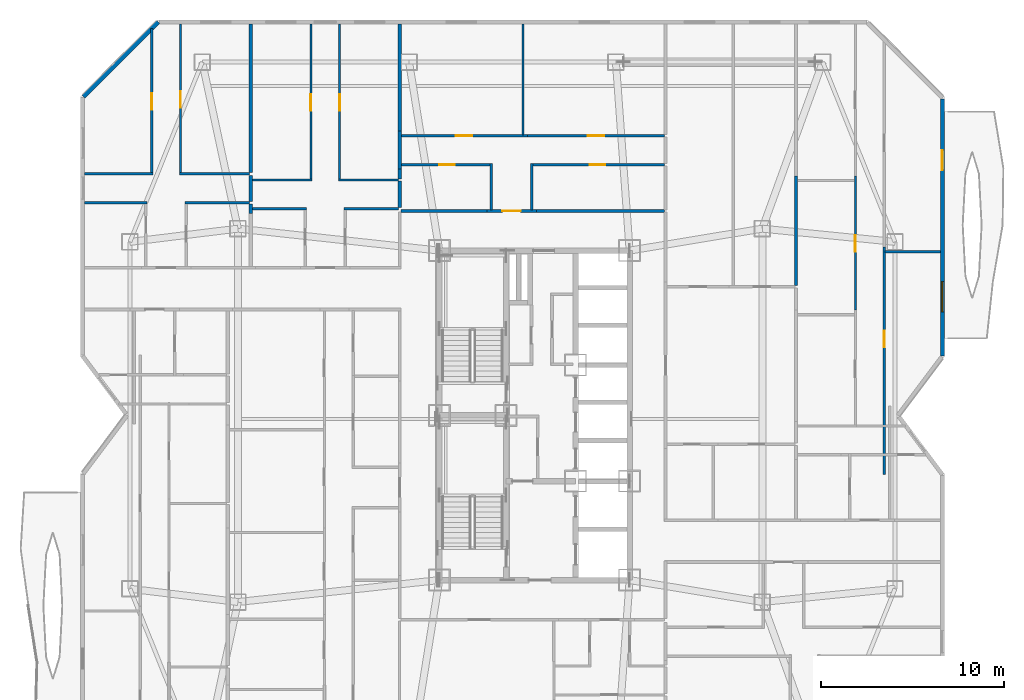
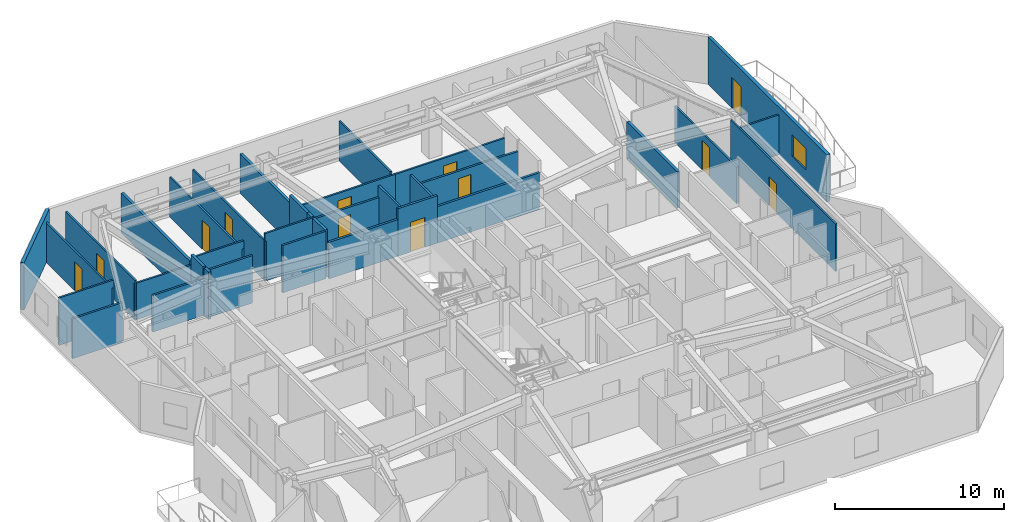
# One storey, part 12 of 16: 35 walls, 12 doors, 1 window, 13 openings.
"""IFC4 building model written with IfcOpenShell, lengths in metres."""

import ifcopenshell
import ifcopenshell.guid

model = None  # the IFC model being written
_history = None  # IfcOwnerHistory: only IFC2X3 demands one
_inside = {}  # id of a spatial element -> (the spatial element, [elements in it])
_under = {}  # id of a project, library or spatial element -> (it, [spatial elements below it])
_declared = {}  # id of a project -> (the project, [libraries it declares])
_typed = {}  # id of a type object -> (the type object, [elements of that type])
_made_of = {}  # id of a material, layer set ... -> (it, [elements and type objects made of it])


def new_model(schema):
    """Start an empty IFC model of exactly this schema.

    Asked for "IFC4X3", IfcOpenShell would pick the latest addendum, in which some entities
    have other attributes; the version numbers below select the first issue.
    IFC2X3 requires an IfcOwnerHistory on every rooted entity: one is made here for all.
    """
    global model, _history
    if schema == "IFC4X3":
        model = ifcopenshell.file(schema_version=(4, 3, 0, 0))
    else:
        model = ifcopenshell.file(schema=schema)
    _inside.clear()
    _under.clear()
    _declared.clear()
    _typed.clear()
    _made_of.clear()
    _history = None
    if model.schema == "IFC2X3":
        org = make("IfcOrganization", Name="unknown")
        user = make(
            "IfcPersonAndOrganization",
            ThePerson=make("IfcPerson", FamilyName="unknown"),
            TheOrganization=org,
        )
        app = make(
            "IfcApplication",
            ApplicationDeveloper=org,
            Version="unknown",
            ApplicationFullName="unknown",
            ApplicationIdentifier="unknown",
        )
        _history = make(
            "IfcOwnerHistory",
            OwningUser=user,
            OwningApplication=app,
            ChangeAction="ADDED",
            CreationDate=0,
        )
    return model


def make(cls, **values):
    """One entity of the class cls with the attributes given. An attribute that is None is left unset."""
    return model.create_entity(
        cls, **{name: value for name, value in values.items() if value is not None}
    )


def rooted(cls, **values):
    """An entity with a GlobalId (a new one), such as an element, a storey or a relation."""
    return make(cls, GlobalId=ifcopenshell.guid.new(), OwnerHistory=_history, **values)


def si_unit(unit_type, name, prefix=None):
    """IfcSIUnit, for example si_unit("LENGTHUNIT", "METRE", prefix="MILLI")."""
    return make("IfcSIUnit", UnitType=unit_type, Prefix=prefix, Name=name)


def assignment(units):
    """IfcUnitAssignment: the units of a project."""
    return None if units is None else make("IfcUnitAssignment", Units=units)


def point(xyz):
    """IfcCartesianPoint."""
    return None if xyz is None else make("IfcCartesianPoint", Coordinates=xyz)


def direction(xyz):
    """IfcDirection."""
    return None if xyz is None else make("IfcDirection", DirectionRatios=xyz)


def frame(location, z_axis=None, x_axis=None):
    """IfcAxis2Placement3D, a coordinate frame: its origin and axes. An axis left out is left unset."""
    return make(
        "IfcAxis2Placement3D",
        Location=point(location),
        Axis=direction(z_axis),
        RefDirection=direction(x_axis),
    )


def frame_2d(location, x_axis=None):
    """IfcAxis2Placement2D, a coordinate frame in the plane: its origin and x axis."""
    return make(
        "IfcAxis2Placement2D", Location=point(location), RefDirection=direction(x_axis)
    )


def origin():
    """The frame at (0, 0, 0) with its axes left unset."""
    return frame((0.0, 0.0, 0.0))


def place(relative_to, where):
    """IfcLocalPlacement: puts the frame where relative to a parent placement (None: the world)."""
    return make(
        "IfcLocalPlacement", PlacementRelTo=relative_to, RelativePlacement=where
    )


def context(
    kind, dimensions, precision=None, world=None, true_north=None, identifier=None
):
    """IfcGeometricRepresentationContext, for example the 3D "Model" context."""
    return make(
        "IfcGeometricRepresentationContext",
        ContextIdentifier=identifier,
        ContextType=kind,
        CoordinateSpaceDimension=dimensions,
        Precision=precision,
        WorldCoordinateSystem=world,
        TrueNorth=true_north,
    )


def subcontext(parent, identifier, kind, view, scale=None):
    """IfcGeometricRepresentationSubContext, for example "Body" below "Model"."""
    return make(
        "IfcGeometricRepresentationSubContext",
        ContextIdentifier=identifier,
        ContextType=kind,
        ParentContext=parent,
        TargetScale=scale,
        TargetView=view,
    )


def project(units=None, contexts=None):
    """IfcProject with its units and contexts."""
    return rooted(
        "IfcProject",
        Name="project",
        RepresentationContexts=contexts,
        UnitsInContext=assignment(units),
    )


def spatial(cls, under=None, at=None, **own):
    """A site, building, storey or space (cls), placed at a placement, below another one or the project."""
    s = rooted(cls, ObjectPlacement=at, **own)
    if under is not None:
        _under.setdefault(under.id(), (under, []))[1].append(s)
    return s


def profile(cls, at=None, kind="AREA", **sizes):
    """A parametric profile (cls). Its sizes go by their IFC names, for example OverallWidth=200.0."""
    return make(cls, ProfileType=kind, Position=at, **sizes)


def rectangle(**sizes):
    """IfcRectangleProfileDef."""
    return profile("IfcRectangleProfileDef", **sizes)


def extrude(swept, where, along, depth):
    """IfcExtrudedAreaSolid: the profile swept, set in the frame where, extruded along a direction by depth."""
    return make(
        "IfcExtrudedAreaSolid",
        SweptArea=swept,
        Position=where,
        ExtrudedDirection=direction(along),
        Depth=depth,
    )


def shape(context_of_items, identifier, shape_type, items):
    """IfcShapeRepresentation: the items that make up one representation, for example the "Body"."""
    return make(
        "IfcShapeRepresentation",
        ContextOfItems=context_of_items,
        RepresentationIdentifier=identifier,
        RepresentationType=shape_type,
        Items=items,
    )


def material(Name=None, Category=None):
    """IfcMaterial."""
    return make("IfcMaterial", Name=Name, Category=Category)


def layer(
    of_material, thickness, ventilated=None, Name=None, Category=None, Priority=None
):
    """IfcMaterialLayer: one layer of a wall or slab, of a material (None: an air gap)."""
    return make(
        "IfcMaterialLayer",
        Material=of_material,
        LayerThickness=thickness,
        IsVentilated=ventilated,
        Name=Name,
        Category=Category,
        Priority=Priority,
    )


def layer_set(layers, Name=None):
    """IfcMaterialLayerSet."""
    return make("IfcMaterialLayerSet", MaterialLayers=layers, LayerSetName=Name)


def made_of(thing, what):
    """Note that an element or type object is made of a material, layer set ...; save() writes the relation."""
    if what is not None:
        _made_of.setdefault(what.id(), (what, []))[1].append(thing)
    return thing


def type_object(cls, material=None, **own):
    """A type object (cls), such as IfcWallType, which elements share."""
    return made_of(rooted(cls, **own), material)


def element(
    cls,
    number,
    at=None,
    inside=None,
    cuts=None,
    type_object=None,
    material=None,
    context=None,
    identifier="Body",
    shape_type=None,
    held_by="IfcProductDefinitionShape",
    body=None,
    shapes=None,
    **own,
):
    """One element of the class cls, such as IfcWall. Its Tag is "e" and its number.

    at: its placement. inside: the storey or other place that contains it. cuts: it is an
    opening in that element (IfcRelVoidsElement). A single representation is given by context,
    identifier, shape_type and body (its items); several are given by shapes. held_by: the class
    of the entity that holds the representations. save() writes the other relations.
    """
    e = rooted(cls, Tag="e%d" % number, ObjectPlacement=at, **own)
    if body is not None:
        shapes = [shape(context, identifier, shape_type, body)]
    if shapes is not None:
        e.Representation = make(held_by, Representations=shapes)
    if inside is not None:
        _inside.setdefault(inside.id(), (inside, []))[1].append(e)
    if cuts is not None:
        rooted(
            "IfcRelVoidsElement", RelatingBuildingElement=cuts, RelatedOpeningElement=e
        )
    if type_object is not None:
        _typed.setdefault(type_object.id(), (type_object, []))[1].append(e)
    return made_of(e, material)


def fill(opening, filler):
    """IfcRelFillsElement: the door or window that sits in an opening."""
    return rooted(
        "IfcRelFillsElement",
        RelatingOpeningElement=opening,
        RelatedBuildingElement=filler,
    )


def aggregate(whole, parts):
    """IfcRelAggregates: a whole, such as a stair, and the parts it consists of."""
    return rooted("IfcRelAggregates", RelatingObject=whole, RelatedObjects=parts)


def save(model, path):
    """Write the relations noted so far, then the file.

    IfcRelAggregates (storeys below a building ...), IfcRelContainedInSpatialStructure (elements
    in a storey), IfcRelDefinesByType, IfcRelAssociatesMaterial and IfcRelDeclares: one each for
    every whole, place, type object, material and project.
    """
    for whole, parts in _under.values():
        aggregate(whole, parts)
    for where, things in _inside.values():
        rooted(
            "IfcRelContainedInSpatialStructure",
            RelatedElements=things,
            RelatingStructure=where,
        )
    for kind, things in _typed.values():
        rooted("IfcRelDefinesByType", RelatedObjects=things, RelatingType=kind)
    for what, things in _made_of.values():
        rooted("IfcRelAssociatesMaterial", RelatedObjects=things, RelatingMaterial=what)
    for by, libraries in _declared.values():
        rooted("IfcRelDeclares", RelatingContext=by, RelatedDefinitions=libraries)
    model.write(path)


model = new_model("IFC4")

# Units and contexts
model_context = context("Model", 3, precision=1e-05, world=origin(), true_north=direction((0.0, 1.0)))
body_context = subcontext(model_context, "Body", "Model", "MODEL_VIEW")
ifc_project = project(units=[si_unit("LENGTHUNIT", "METRE"), si_unit("AREAUNIT", "SQUARE_METRE"), si_unit("VOLUMEUNIT", "CUBIC_METRE"), si_unit("PLANEANGLEUNIT", "RADIAN"), si_unit("MASSUNIT", "GRAM", prefix="KILO")], contexts=[model_context])

# Site, building, storey
site_placement = place(None, origin())
site = spatial("IfcSite", under=ifc_project, at=site_placement, CompositionType="ELEMENT")
building_placement = place(site_placement, origin())
building = spatial("IfcBuilding", under=site, at=building_placement, Name="Khamvora Tower", CompositionType="ELEMENT")
storey_placement = place(building_placement, frame((0.0, 0.0, 134.75)))
storey = spatial("IfcBuildingStorey", under=building, at=storey_placement, Name="L34", CompositionType="ELEMENT", Elevation=134.75)

# Wall, opening, door
ifc_material_1 = material(Name="Fire-Rated Drywall and Steel Stud", Category="steel")
ifc_layer_1 = layer(ifc_material_1, 0.14990234375)
ifc_layer_set_1 = layer_set([ifc_layer_1], Name="Fire-Rated Drywall and Steel Stud")
wall_type_1 = type_object("IfcWallType", Name="WAL-CORR-150", PredefinedType="STANDARD", material=ifc_layer_set_1)
wall_1_placement = place(storey_placement, frame((31.60107421875, 39.1650390625, 0.0), z_axis=(0.0, 0.0, 1.0), x_axis=(1.0, 0.0, 0.0)))
wall_1 = element("IfcWall", 1, at=wall_1_placement, inside=storey, type_object=wall_type_1, Name="L34 interior partition wall 030", PredefinedType="STANDARD", context=body_context, shape_type="SweptSolid", body=[
    extrude(rectangle(XDim=2.697998046875, YDim=0.14990234375, at=frame_2d((1.34912109375, 0.0))), origin(), (0.0, 0.0, 1.0), 3.429931640625),
])
opening_1_placement = place(wall_1_placement, frame((0.84912109375, 0.0, 0.0)))
opening_1 = element("IfcOpeningElement", 2, at=opening_1_placement, cuts=wall_1, Name="Opening D-U1", PredefinedType="OPENING", context=body_context, shape_type="SweptSolid", body=[
    extrude(rectangle(XDim=1.0, YDim=2.14990234375, at=frame_2d((0.5, 1.074951171875))), frame((0.0, 0.0849609375, 0.0), z_axis=(0.0, -1.0, 0.0), x_axis=(1.0, 0.0, 0.0)), (0.0, 0.0, 1.0), 0.169921875),
])
ifc_material_2 = material(Name="Powder-Coated Steel and Hardwood Leaf", Category="steel")
door_type_1 = type_object("IfcDoorType", Name="DOR-UNIT-1000", OperationType="NOTDEFINED", PredefinedType="DOOR", material=ifc_material_2)
door_1_placement = place(opening_1_placement, origin())
door_1 = element("IfcDoor", 3, at=door_1_placement, inside=storey, type_object=door_type_1, Name="L34 interior door COR-34NAH", OperationType="SINGLE_SWING_LEFT", OverallHeight=2.14990234375, OverallWidth=1.0, PredefinedType="DOOR", context=body_context, shape_type="SweptSolid", body=[
    extrude(rectangle(XDim=1.0, YDim=2.14990234375, at=frame_2d((0.5, 1.074951171875))), frame((0.0, 0.02490234375, 0.0), z_axis=(0.0, -1.0, 0.0), x_axis=(1.0, 0.0, 0.0)), (0.0, 0.0, 1.0), 0.050048828125),
])
fill(opening_1, door_1)

# Walls
wall_2_placement = place(storey_placement, frame((26.89990234375, 39.1650390625, 0.0), z_axis=(0.0, 0.0, 1.0), x_axis=(1.0, 0.0, 0.0)))
element("IfcWall", 4, at=wall_2_placement, inside=storey, type_object=wall_type_1, Name="L34 interior partition wall 031", PredefinedType="STANDARD", context=body_context, shape_type="SweptSolid", body=[
    extrude(rectangle(XDim=4.701171875, YDim=0.14990234375, at=frame_2d((2.3505859375, 0.0))), origin(), (0.0, 0.0, 1.0), 2.64697265625),
])
wall_3_placement = place(storey_placement, frame((34.299072265625, 39.1650390625, 0.0), z_axis=(0.0, 0.0, 1.0), x_axis=(1.0, 0.0, 0.0)))
element("IfcWall", 5, at=wall_3_placement, inside=storey, type_object=wall_type_1, Name="L34 interior partition wall 032", PredefinedType="STANDARD", context=body_context, shape_type="SweptSolid", body=[
    extrude(rectangle(XDim=7.0009765625, YDim=0.14990234375, at=frame_2d((3.50048828125, 0.0))), origin(), (0.0, 0.0, 1.0), 2.64697265625),
])
ifc_material_3 = material(Name="Acoustic Double-Stud Fire Wall", Category="gypsum")
ifc_layer_2 = layer(ifc_material_3, 0.179931640625)
ifc_layer_set_2 = layer_set([ifc_layer_2], Name="Acoustic Double-Stud Fire Wall")
wall_type_2 = type_object("IfcWallType", Name="WAL-CORR-180", PredefinedType="STANDARD", material=ifc_layer_set_2)
wall_4_placement = place(storey_placement, frame((18.705078125, 41.10888671875, 0.0), z_axis=(0.0, 0.0, 1.0), x_axis=(0.0, -1.0, 0.0)))
element("IfcWall", 6, at=wall_4_placement, inside=storey, type_object=wall_type_2, Name="L34 interior partition wall 097", PredefinedType="STANDARD", context=body_context, shape_type="SweptSolid", body=[
    extrude(rectangle(XDim=1.423828125, YDim=0.179931640625, at=frame_2d((0.7119140625, 0.0))), origin(), (0.0, 0.0, 1.0), 3.429931640625),
])
wall_5_placement = place(storey_placement, frame((18.705078125, 39.554931640625, 0.0), z_axis=(0.0, 0.0, 1.0), x_axis=(0.0, -1.0, 0.0)))
element("IfcWall", 7, at=wall_5_placement, inside=storey, type_object=wall_type_2, Name="L34 interior partition wall 098", PredefinedType="STANDARD", context=body_context, shape_type="SweptSolid", body=[
    extrude(rectangle(XDim=0.52392578125, YDim=0.179931640625, at=frame_2d((0.261962890625, 0.0))), origin(), (0.0, 0.0, 1.0), 3.429931640625),
])
wall_6_placement = place(storey_placement, frame((18.705078125, 49.387939453125, 0.0), z_axis=(0.0, 0.0, 1.0), x_axis=(0.0, -1.0, 0.0)))
element("IfcWall", 8, at=wall_6_placement, inside=storey, type_object=wall_type_2, Name="L34 interior partition wall 100", PredefinedType="STANDARD", context=body_context, shape_type="SweptSolid", body=[
    extrude(rectangle(XDim=8.123046875, YDim=0.179931640625, at=frame_2d((4.0615234375, 0.0))), origin(), (0.0, 0.0, 1.0), 2.8759765625),
])
wall_7_placement = place(storey_placement, frame((26.8349609375, 40.794921875, 0.0), z_axis=(0.0, 0.0, 1.0), x_axis=(0.0, -1.0, 0.0)))
element("IfcWall", 9, at=wall_7_placement, inside=storey, type_object=wall_type_2, Name="L34 interior partition wall 109", PredefinedType="STANDARD", context=body_context, shape_type="SweptSolid", body=[
    extrude(rectangle(XDim=1.449951171875, YDim=0.179931640625, at=frame_2d((0.72509765625, 0.0))), origin(), (0.0, 0.0, 1.0), 3.429931640625),
])
wall_8_placement = place(storey_placement, frame((26.8349609375, 43.52392578125, 0.0), z_axis=(0.0, 0.0, 1.0), x_axis=(0.0, -1.0, 0.0)))
element("IfcWall", 10, at=wall_8_placement, inside=storey, type_object=wall_type_2, Name="L34 interior partition wall 110", PredefinedType="STANDARD", context=body_context, shape_type="SweptSolid", body=[
    extrude(rectangle(XDim=2.077880859375, YDim=0.179931640625, at=frame_2d((1.0390625, 0.0))), origin(), (0.0, 0.0, 1.0), 3.429931640625),
])
wall_9_placement = place(storey_placement, frame((26.8349609375, 41.446044921875, 0.0), z_axis=(0.0, 0.0, 1.0), x_axis=(0.0, -1.0, 0.0)))
element("IfcWall", 11, at=wall_9_placement, inside=storey, type_object=wall_type_2, Name="L34 interior partition wall 111", PredefinedType="STANDARD", context=body_context, shape_type="SweptSolid", body=[
    extrude(rectangle(XDim=0.52099609375, YDim=0.179931640625, at=frame_2d((0.260498046875, 0.0))), origin(), (0.0, 0.0, 1.0), 3.429931640625),
])
wall_10_placement = place(storey_placement, frame((26.8349609375, 49.387939453125, 0.0), z_axis=(0.0, 0.0, 1.0), x_axis=(0.0, -1.0, 0.0)))
element("IfcWall", 12, at=wall_10_placement, inside=storey, type_object=wall_type_2, Name="L34 interior partition wall 112", PredefinedType="STANDARD", context=body_context, shape_type="SweptSolid", body=[
    extrude(rectangle(XDim=5.864013671875, YDim=0.179931640625, at=frame_2d((2.93212890625, 0.0))), origin(), (0.0, 0.0, 1.0), 2.8759765625),
])
wall_11_placement = place(storey_placement, frame((48.489990234375, 41.0830078125, 0.0), z_axis=(0.0, 0.0, 1.0), x_axis=(0.0, -1.0, 0.0)))
element("IfcWall", 13, at=wall_11_placement, inside=storey, type_object=wall_type_2, Name="L34 interior partition wall 148", PredefinedType="STANDARD", context=body_context, shape_type="SweptSolid", body=[
    extrude(rectangle(XDim=5.988037109375, YDim=0.179931640625, at=frame_2d((2.994140625, 0.0))), origin(), (0.0, 0.0, 1.0), 2.64697265625),
])
ifc_material_4 = material(Name="Precast concrete C40/50", Category="concrete")
ifc_layer_3 = layer(ifc_material_4, 0.219970703125)
ifc_layer_set_3 = layer_set([ifc_layer_3], Name="Precast concrete C40/50")
wall_type_3 = type_object("IfcWallType", Name="WAL-EXT-220", PredefinedType="STANDARD", material=ifc_layer_set_3)
wall_12_placement = place(storey_placement, frame((9.55810546875, 45.402099609375, 0.0), z_axis=(0.0, 0.0, 1.0), x_axis=(0.707106781187, 0.707106781187, 0.0)))
element("IfcWall", 14, at=wall_12_placement, inside=storey, type_object=wall_type_3, Name="L34 exterior facade wall 06.1", PredefinedType="STANDARD", context=body_context, shape_type="SweptSolid", body=[
    extrude(rectangle(XDim=5.78125, YDim=0.219970703125, at=frame_2d((2.890625, 0.0))), origin(), (0.0, 0.0, 1.0), 3.429931640625),
])

# Wall, openings, door, window
wall_13_placement = place(storey_placement, frame((56.489990234375, 45.282958984375, 0.0), z_axis=(0.0, 0.0, 1.0), x_axis=(0.0, -1.0, 0.0)))
wall_13 = element("IfcWall", 15, at=wall_13_placement, inside=storey, type_object=wall_type_3, Name="L34 exterior facade wall 09.1", PredefinedType="STANDARD", context=body_context, shape_type="SweptSolid", body=[
    extrude(rectangle(XDim=14.0458984375, YDim=0.219970703125, at=frame_2d((7.02294921875, 0.0))), origin(), (0.0, 0.0, 1.0), 3.429931640625),
])
opening_2_placement = place(wall_13_placement, frame((2.791015625, 0.0, 0.0)))
opening_2 = element("IfcOpeningElement", 16, at=opening_2_placement, cuts=wall_13, Name="Opening BD-01", PredefinedType="OPENING", context=body_context, shape_type="SweptSolid", body=[
    extrude(rectangle(XDim=1.10009765625, YDim=2.199951171875, at=frame_2d((0.550048828125, 1.10009765625))), frame((0.0, 0.119873046875, 0.0), z_axis=(0.0, -1.0, 0.0), x_axis=(1.0, 0.0, 0.0)), (0.0, 0.0, 1.0), 0.239990234375),
])
opening_3_placement = place(wall_13_placement, frame((9.97607421875, 0.0, 0.85009765625)))
opening_3 = element("IfcOpeningElement", 17, at=opening_3_placement, cuts=wall_13, Name="Opening WN-06", PredefinedType="OPENING", context=body_context, shape_type="SweptSolid", body=[
    extrude(rectangle(XDim=1.64990234375, YDim=1.550048828125, at=frame_2d((0.824951171875, 0.77490234375))), frame((0.0, 0.119873046875, 0.0), z_axis=(0.0, -1.0, 0.0), x_axis=(1.0, 0.0, 0.0)), (0.0, 0.0, 1.0), 0.239990234375),
])
ifc_material_5 = material(Name="Anodised Aluminium and Laminated Safety Glass", Category="aluminium")
door_type_2 = type_object("IfcDoorType", Name="DOR-BAL-1100", OperationType="NOTDEFINED", PredefinedType="DOOR", material=ifc_material_5)
door_2_placement = place(opening_2_placement, origin())
door_2 = element("IfcDoor", 18, at=door_2_placement, inside=storey, type_object=door_type_2, Name="L34 lens gallery balcony door EL2", OperationType="SLIDING_TO_LEFT", OverallHeight=2.199951171875, OverallWidth=1.10009765625, PredefinedType="DOOR", context=body_context, shape_type="SweptSolid", body=[
    extrude(rectangle(XDim=1.10009765625, YDim=2.199951171875, at=frame_2d((0.550048828125, 1.10009765625))), frame((0.0, 0.02490234375, 0.0), z_axis=(0.0, -1.0, 0.0), x_axis=(1.0, 0.0, 0.0)), (0.0, 0.0, 1.0), 0.050048828125),
])
fill(opening_2, door_2)
ifc_material_6 = material(Name="Low-E Laminated Double Glazing", Category="glass")
window_type = type_object("IfcWindowType", Name="WIN-VIS-1650x1550", PartitioningType="SINGLE_PANEL", PredefinedType="WINDOW", material=ifc_material_6)
window_placement = place(opening_3_placement, origin())
window = element("IfcWindow", 19, at=window_placement, inside=storey, type_object=window_type, Name="L34 vision window 09.1.01", OverallHeight=1.550048828125, OverallWidth=1.64990234375, PartitioningType="SINGLE_PANEL", PredefinedType="WINDOW", context=body_context, shape_type="SweptSolid", body=[
    extrude(rectangle(XDim=1.64990234375, YDim=1.550048828125, at=frame_2d((0.824951171875, 0.77490234375))), frame((0.0, 0.030029296875, 0.0), z_axis=(0.0, -1.0, 0.0), x_axis=(1.0, 0.0, 0.0)), (0.0, 0.0, 1.0), 0.06005859375),
])
fill(opening_3, window)

# Wall
ifc_material_7 = material(Name="Gypsum Plasterboard Partition", Category="gypsum")
ifc_layer_4 = layer(ifc_material_7, 0.1201171875)
ifc_layer_set_4 = layer_set([ifc_layer_4], Name="Gypsum Plasterboard Partition")
wall_type_4 = type_object("IfcWallType", Name="WAL-PART-120", PredefinedType="PARTITIONING", material=ifc_layer_set_4)
wall_14_placement = place(storey_placement, frame((9.612060546875, 41.199951171875, 0.0), z_axis=(0.0, 0.0, 1.0), x_axis=(1.0, 0.0, 0.0)))
element("IfcWall", 20, at=wall_14_placement, inside=storey, type_object=wall_type_4, Name="L34 interior partition wall 093", PredefinedType="PARTITIONING", context=body_context, shape_type="SweptSolid", body=[
    extrude(rectangle(XDim=3.742919921875, YDim=0.1201171875, at=frame_2d((1.87158203125, 0.0))), origin(), (0.0, 0.0, 1.0), 3.429931640625),
])

# Wall, opening, door
wall_15_placement = place(storey_placement, frame((13.2900390625, 41.135009765625, 0.0), z_axis=(0.0, 0.0, 1.0), x_axis=(0.0, 1.0, 0.0)))
wall_15 = element("IfcWall", 21, at=wall_15_placement, inside=storey, type_object=wall_type_4, Name="L34 interior partition wall 094", PredefinedType="PARTITIONING", context=body_context, shape_type="SweptSolid", body=[
    extrude(rectangle(XDim=8.008056640625, YDim=0.1201171875, at=frame_2d((4.00390625, 0.0))), origin(), (0.0, 0.0, 1.0), 2.8759765625),
])
opening_4_placement = place(wall_15_placement, frame((3.553955078125, 0.0, 0.0)))
opening_4 = element("IfcOpeningElement", 22, at=opening_4_placement, cuts=wall_15, Name="Opening D-RM1", PredefinedType="OPENING", context=body_context, shape_type="SweptSolid", body=[
    extrude(rectangle(XDim=0.89990234375, YDim=2.10009765625, at=frame_2d((0.449951171875, 1.050048828125))), frame((0.0, 0.070068359375, 0.0), z_axis=(0.0, -1.0, 0.0), x_axis=(1.0, 0.0, 0.0)), (0.0, 0.0, 1.0), 0.14013671875),
])
door_type_3 = type_object("IfcDoorType", Name="DOR-ROOM-900", OperationType="NOTDEFINED", PredefinedType="DOOR", material=ifc_material_2)
door_3_placement = place(opening_4_placement, origin())
door_3 = element("IfcDoor", 23, at=door_3_placement, inside=storey, type_object=door_type_3, Name="L34 interior door 34WBH-34WBL", OperationType="SINGLE_SWING_RIGHT", OverallHeight=2.10009765625, OverallWidth=0.89990234375, PredefinedType="DOOR", context=body_context, shape_type="SweptSolid", body=[
    extrude(rectangle(XDim=0.89990234375, YDim=2.10009765625, at=frame_2d((0.449951171875, 1.050048828125))), frame((0.0, 0.02490234375, 0.0), z_axis=(0.0, -1.0, 0.0), x_axis=(1.0, 0.0, 0.0)), (0.0, 0.0, 1.0), 0.050048828125),
])
fill(opening_4, door_3)

wall_16_placement = place(storey_placement, frame((14.860107421875, 49.387939453125, 0.0), z_axis=(0.0, 0.0, 1.0), x_axis=(0.0, -1.0, 0.0)))
wall_16 = element("IfcWall", 24, at=wall_16_placement, inside=storey, type_object=wall_type_4, Name="L34 interior partition wall 095", PredefinedType="PARTITIONING", context=body_context, shape_type="SweptSolid", body=[
    extrude(rectangle(XDim=8.2529296875, YDim=0.1201171875, at=frame_2d((4.12646484375, 0.0))), origin(), (0.0, 0.0, 1.0), 2.8759765625),
])
opening_5_placement = place(wall_16_placement, frame((3.676025390625, 0.0, 0.0)))
opening_5 = element("IfcOpeningElement", 25, at=opening_5_placement, cuts=wall_16, Name="Opening D-RM1", PredefinedType="OPENING", context=body_context, shape_type="SweptSolid", body=[
    extrude(rectangle(XDim=0.89990234375, YDim=2.10009765625, at=frame_2d((0.449951171875, 1.050048828125))), frame((0.0, 0.070068359375, 0.0), z_axis=(0.0, -1.0, 0.0), x_axis=(1.0, 0.0, 0.0)), (0.0, 0.0, 1.0), 0.14013671875),
])
door_4_placement = place(opening_5_placement, origin())
door_4 = element("IfcDoor", 26, at=door_4_placement, inside=storey, type_object=door_type_3, Name="L34 interior door 34WBH-34WBR2", OperationType="SINGLE_SWING_LEFT", OverallHeight=2.10009765625, OverallWidth=0.89990234375, PredefinedType="DOOR", context=body_context, shape_type="SweptSolid", body=[
    extrude(rectangle(XDim=0.89990234375, YDim=2.10009765625, at=frame_2d((0.449951171875, 1.050048828125))), frame((0.0, 0.02490234375, 0.0), z_axis=(0.0, -1.0, 0.0), x_axis=(1.0, 0.0, 0.0)), (0.0, 0.0, 1.0), 0.050048828125),
])
fill(opening_5, door_4)

# Walls
wall_17_placement = place(storey_placement, frame((14.794921875, 41.199951171875, 0.0), z_axis=(0.0, 0.0, 1.0), x_axis=(1.0, 0.0, 0.0)))
element("IfcWall", 27, at=wall_17_placement, inside=storey, type_object=wall_type_4, Name="L34 interior partition wall 096", PredefinedType="PARTITIONING", context=body_context, shape_type="SweptSolid", body=[
    extrude(rectangle(XDim=3.844970703125, YDim=0.1201171875, at=frame_2d((1.92236328125, 0.0))), origin(), (0.0, 0.0, 1.0), 2.64697265625),
])
wall_18_placement = place(storey_placement, frame((18.787109375, 40.860107421875, 0.0), z_axis=(0.0, 0.0, 1.0), x_axis=(1.0, 0.0, 0.0)))
element("IfcWall", 28, at=wall_18_placement, inside=storey, type_object=wall_type_4, Name="L34 interior partition wall 105", PredefinedType="PARTITIONING", context=body_context, shape_type="SweptSolid", body=[
    extrude(rectangle(XDim=3.262939453125, YDim=0.1201171875, at=frame_2d((1.63134765625, 0.0))), origin(), (0.0, 0.0, 1.0), 3.429931640625),
])

# Wall, opening, door
wall_19_placement = place(storey_placement, frame((21.985107421875, 40.794921875, 0.0), z_axis=(0.0, 0.0, 1.0), x_axis=(0.0, 1.0, 0.0)))
wall_19 = element("IfcWall", 29, at=wall_19_placement, inside=storey, type_object=wall_type_4, Name="L34 interior partition wall 106", PredefinedType="PARTITIONING", context=body_context, shape_type="SweptSolid", body=[
    extrude(rectangle(XDim=8.593017578125, YDim=0.1201171875, at=frame_2d((4.29638671875, 0.0))), origin(), (0.0, 0.0, 1.0), 2.8759765625),
])
opening_6_placement = place(wall_19_placement, frame((3.845947265625, 0.0, 0.0)))
opening_6 = element("IfcOpeningElement", 30, at=opening_6_placement, cuts=wall_19, Name="Opening D-RM1", PredefinedType="OPENING", context=body_context, shape_type="SweptSolid", body=[
    extrude(rectangle(XDim=0.89990234375, YDim=2.10009765625, at=frame_2d((0.449951171875, 1.050048828125))), frame((0.0, 0.070068359375, 0.0), z_axis=(0.0, -1.0, 0.0), x_axis=(1.0, 0.0, 0.0)), (0.0, 0.0, 1.0), 0.14013671875),
])
door_5_placement = place(opening_6_placement, origin())
door_5 = element("IfcDoor", 31, at=door_5_placement, inside=storey, type_object=door_type_3, Name="L34 interior door 34WCH-34WCL", OperationType="SINGLE_SWING_RIGHT", OverallHeight=2.10009765625, OverallWidth=0.89990234375, PredefinedType="DOOR", context=body_context, shape_type="SweptSolid", body=[
    extrude(rectangle(XDim=0.89990234375, YDim=2.10009765625, at=frame_2d((0.449951171875, 1.050048828125))), frame((0.0, 0.02490234375, 0.0), z_axis=(0.0, -1.0, 0.0), x_axis=(1.0, 0.0, 0.0)), (0.0, 0.0, 1.0), 0.050048828125),
])
fill(opening_6, door_5)

wall_20_placement = place(storey_placement, frame((23.554931640625, 49.387939453125, 0.0), z_axis=(0.0, 0.0, 1.0), x_axis=(0.0, -1.0, 0.0)))
wall_20 = element("IfcWall", 32, at=wall_20_placement, inside=storey, type_object=wall_type_4, Name="L34 interior partition wall 107", PredefinedType="PARTITIONING", context=body_context, shape_type="SweptSolid", body=[
    extrude(rectangle(XDim=8.593017578125, YDim=0.1201171875, at=frame_2d((4.29638671875, 0.0))), origin(), (0.0, 0.0, 1.0), 2.8759765625),
])
opening_7_placement = place(wall_20_placement, frame((3.845947265625, 0.0, 0.0)))
opening_7 = element("IfcOpeningElement", 33, at=opening_7_placement, cuts=wall_20, Name="Opening D-RM1", PredefinedType="OPENING", context=body_context, shape_type="SweptSolid", body=[
    extrude(rectangle(XDim=0.89990234375, YDim=2.10009765625, at=frame_2d((0.449951171875, 1.050048828125))), frame((0.0, 0.070068359375, 0.0), z_axis=(0.0, -1.0, 0.0), x_axis=(1.0, 0.0, 0.0)), (0.0, 0.0, 1.0), 0.14013671875),
])
door_6_placement = place(opening_7_placement, origin())
door_6 = element("IfcDoor", 34, at=door_6_placement, inside=storey, type_object=door_type_3, Name="L34 interior door 34WCH-34WCR2", OperationType="SINGLE_SWING_LEFT", OverallHeight=2.10009765625, OverallWidth=0.89990234375, PredefinedType="DOOR", context=body_context, shape_type="SweptSolid", body=[
    extrude(rectangle(XDim=0.89990234375, YDim=2.10009765625, at=frame_2d((0.449951171875, 1.050048828125))), frame((0.0, 0.02490234375, 0.0), z_axis=(0.0, -1.0, 0.0), x_axis=(1.0, 0.0, 0.0)), (0.0, 0.0, 1.0), 0.050048828125),
])
fill(opening_7, door_6)

# Wall
wall_21_placement = place(storey_placement, frame((23.489990234375, 40.860107421875, 0.0), z_axis=(0.0, 0.0, 1.0), x_axis=(1.0, 0.0, 0.0)))
element("IfcWall", 35, at=wall_21_placement, inside=storey, type_object=wall_type_4, Name="L34 interior partition wall 108", PredefinedType="PARTITIONING", context=body_context, shape_type="SweptSolid", body=[
    extrude(rectangle(XDim=3.280029296875, YDim=0.1201171875, at=frame_2d((1.64013671875, 0.0))), origin(), (0.0, 0.0, 1.0), 3.429931640625),
])

# Wall, opening, door
wall_22_placement = place(storey_placement, frame((26.9169921875, 43.27490234375, 0.0), z_axis=(0.0, 0.0, 1.0), x_axis=(1.0, 0.0, 0.0)))
wall_22 = element("IfcWall", 36, at=wall_22_placement, inside=storey, type_object=wall_type_4, Name="L34 interior partition wall 126", PredefinedType="PARTITIONING", context=body_context, shape_type="SweptSolid", body=[
    extrude(rectangle(XDim=6.906005859375, YDim=0.1201171875, at=frame_2d((3.453125, 0.0))), origin(), (0.0, 0.0, 1.0), 2.64697265625),
])
opening_8_placement = place(wall_22_placement, frame((2.98193359375, 0.0, 0.0)))
opening_8 = element("IfcOpeningElement", 37, at=opening_8_placement, cuts=wall_22, Name="Opening D-RM1", PredefinedType="OPENING", context=body_context, shape_type="SweptSolid", body=[
    extrude(rectangle(XDim=0.89990234375, YDim=2.10009765625, at=frame_2d((0.449951171875, 1.050048828125))), frame((0.0, 0.070068359375, 0.0), z_axis=(0.0, -1.0, 0.0), x_axis=(1.0, 0.0, 0.0)), (0.0, 0.0, 1.0), 0.14013671875),
])
door_7_placement = place(opening_8_placement, origin())
door_7 = element("IfcDoor", 38, at=door_7_placement, inside=storey, type_object=door_type_3, Name="L34 interior door 34NAH-34NAR1", OperationType="SINGLE_SWING_LEFT", OverallHeight=2.10009765625, OverallWidth=0.89990234375, PredefinedType="DOOR", context=body_context, shape_type="SweptSolid", body=[
    extrude(rectangle(XDim=0.89990234375, YDim=2.10009765625, at=frame_2d((0.449951171875, 1.050048828125))), frame((0.0, 0.02490234375, 0.0), z_axis=(0.0, -1.0, 0.0), x_axis=(1.0, 0.0, 0.0)), (0.0, 0.0, 1.0), 0.050048828125),
])
fill(opening_8, door_7)

wall_23_placement = place(storey_placement, frame((33.822998046875, 43.27490234375, 0.0), z_axis=(0.0, 0.0, 1.0), x_axis=(1.0, 0.0, 0.0)))
wall_23 = element("IfcWall", 39, at=wall_23_placement, inside=storey, type_object=wall_type_4, Name="L34 interior partition wall 127", PredefinedType="PARTITIONING", context=body_context, shape_type="SweptSolid", body=[
    extrude(rectangle(XDim=7.47705078125, YDim=0.1201171875, at=frame_2d((3.738525390625, 0.0))), origin(), (0.0, 0.0, 1.0), 2.64697265625),
])
opening_9_placement = place(wall_23_placement, frame((3.2880859375, 0.0, 0.0)))
opening_9 = element("IfcOpeningElement", 40, at=opening_9_placement, cuts=wall_23, Name="Opening D-RM1", PredefinedType="OPENING", context=body_context, shape_type="SweptSolid", body=[
    extrude(rectangle(XDim=0.89990234375, YDim=2.10009765625, at=frame_2d((0.449951171875, 1.050048828125))), frame((0.0, 0.070068359375, 0.0), z_axis=(0.0, -1.0, 0.0), x_axis=(1.0, 0.0, 0.0)), (0.0, 0.0, 1.0), 0.14013671875),
])
door_8_placement = place(opening_9_placement, origin())
door_8 = element("IfcDoor", 41, at=door_8_placement, inside=storey, type_object=door_type_3, Name="L34 interior door 34NAH-34NAR2", OperationType="SINGLE_SWING_RIGHT", OverallHeight=2.10009765625, OverallWidth=0.89990234375, PredefinedType="DOOR", context=body_context, shape_type="SweptSolid", body=[
    extrude(rectangle(XDim=0.89990234375, YDim=2.10009765625, at=frame_2d((0.449951171875, 1.050048828125))), frame((0.0, 0.02490234375, 0.0), z_axis=(0.0, -1.0, 0.0), x_axis=(1.0, 0.0, 0.0)), (0.0, 0.0, 1.0), 0.050048828125),
])
fill(opening_9, door_8)

# Wall
wall_24_placement = place(storey_placement, frame((33.573974609375, 49.387939453125, 0.0), z_axis=(0.0, 0.0, 1.0), x_axis=(0.0, -1.0, 0.0)))
element("IfcWall", 42, at=wall_24_placement, inside=storey, type_object=wall_type_4, Name="L34 interior partition wall 130", PredefinedType="PARTITIONING", context=body_context, shape_type="SweptSolid", body=[
    extrude(rectangle(XDim=6.058837890625, YDim=0.1201171875, at=frame_2d((3.029296875, 0.0))), origin(), (0.0, 0.0, 1.0), 2.8759765625),
])

# Wall, opening, door
wall_25_placement = place(storey_placement, frame((51.738037109375, 33.75, 0.0), z_axis=(0.0, 0.0, 1.0), x_axis=(0.0, 1.0, 0.0)))
wall_25 = element("IfcWall", 43, at=wall_25_placement, inside=storey, type_object=wall_type_4, Name="L34 interior partition wall 159", PredefinedType="PARTITIONING", context=body_context, shape_type="SweptSolid", body=[
    extrude(rectangle(XDim=7.3330078125, YDim=0.1201171875, at=frame_2d((3.66650390625, 0.0))), origin(), (0.0, 0.0, 1.0), 2.64697265625),
])
opening_10_placement = place(wall_25_placement, frame((3.196044921875, 0.0, 0.0)))
opening_10 = element("IfcOpeningElement", 44, at=opening_10_placement, cuts=wall_25, Name="Opening D-RM1", PredefinedType="OPENING", context=body_context, shape_type="SweptSolid", body=[
    extrude(rectangle(XDim=0.89990234375, YDim=2.10009765625, at=frame_2d((0.449951171875, 1.050048828125))), frame((0.0, 0.070068359375, 0.0), z_axis=(0.0, -1.0, 0.0), x_axis=(1.0, 0.0, 0.0)), (0.0, 0.0, 1.0), 0.14013671875),
])
door_9_placement = place(opening_10_placement, origin())
door_9 = element("IfcDoor", 45, at=door_9_placement, inside=storey, type_object=door_type_3, Name="L34 interior door 34ECH-34ECR2", OperationType="SINGLE_SWING_RIGHT", OverallHeight=2.10009765625, OverallWidth=0.89990234375, PredefinedType="DOOR", context=body_context, shape_type="SweptSolid", body=[
    extrude(rectangle(XDim=0.89990234375, YDim=2.10009765625, at=frame_2d((0.449951171875, 1.050048828125))), frame((0.0, 0.02490234375, 0.0), z_axis=(0.0, -1.0, 0.0), x_axis=(1.0, 0.0, 0.0)), (0.0, 0.0, 1.0), 0.050048828125),
])
fill(opening_10, door_9)

wall_26_placement = place(storey_placement, frame((53.306884765625, 37.18994140625, 0.0), z_axis=(0.0, 0.0, 1.0), x_axis=(0.0, -1.0, 0.0)))
wall_26 = element("IfcWall", 46, at=wall_26_placement, inside=storey, type_object=wall_type_4, Name="L34 interior partition wall 162", PredefinedType="PARTITIONING", context=body_context, shape_type="SweptSolid", body=[
    extrude(rectangle(XDim=12.429931640625, YDim=0.1201171875, at=frame_2d((6.21484375, 0.0))), origin(), (0.0, 0.0, 1.0), 3.429931640625),
])
opening_11_placement = place(wall_26_placement, frame((4.556884765625, 0.0, 0.0)))
opening_11 = element("IfcOpeningElement", 47, at=opening_11_placement, cuts=wall_26, Name="Opening D-RM1", PredefinedType="OPENING", context=body_context, shape_type="SweptSolid", body=[
    extrude(rectangle(XDim=0.89990234375, YDim=2.10009765625, at=frame_2d((0.449951171875, 1.050048828125))), frame((0.0, 0.070068359375, 0.0), z_axis=(0.0, -1.0, 0.0), x_axis=(1.0, 0.0, 0.0)), (0.0, 0.0, 1.0), 0.14013671875),
])
door_10_placement = place(opening_11_placement, origin())
door_10 = element("IfcDoor", 48, at=door_10_placement, inside=storey, type_object=door_type_3, Name="L34 interior door 34ECH-34ECR4", OperationType="SINGLE_SWING_LEFT", OverallHeight=2.10009765625, OverallWidth=0.89990234375, PredefinedType="DOOR", context=body_context, shape_type="SweptSolid", body=[
    extrude(rectangle(XDim=0.89990234375, YDim=2.10009765625, at=frame_2d((0.449951171875, 1.050048828125))), frame((0.0, 0.02490234375, 0.0), z_axis=(0.0, -1.0, 0.0), x_axis=(1.0, 0.0, 0.0)), (0.0, 0.0, 1.0), 0.050048828125),
])
fill(opening_11, door_10)

# Walls
wall_27_placement = place(storey_placement, frame((53.361083984375, 36.94091796875, 0.0), z_axis=(0.0, 0.0, 1.0), x_axis=(1.0, 0.0, 0.0)))
element("IfcWall", 49, at=wall_27_placement, inside=storey, type_object=wall_type_4, Name="L34 interior partition wall 166", PredefinedType="PARTITIONING", context=body_context, shape_type="SweptSolid", body=[
    extrude(rectangle(XDim=3.02685546875, YDim=0.1201171875, at=frame_2d((1.513427734375, 0.0))), origin(), (0.0, 0.0, 1.0), 2.8759765625),
])
ifc_material_8 = material(Name="Moisture-Resistant Plasterboard Partition", Category="gypsum")
ifc_layer_5 = layer(ifc_material_8, 0.135009765625)
ifc_layer_set_5 = layer_set([ifc_layer_5], Name="Moisture-Resistant Plasterboard Partition")
wall_type_5 = type_object("IfcWallType", Name="WAL-WET-135", PredefinedType="PARTITIONING", material=ifc_layer_set_5)
wall_28_placement = place(storey_placement, frame((13.0400390625, 39.6201171875, 0.0), z_axis=(0.0, 0.0, 1.0), x_axis=(-1.0, 0.0, 0.0)))
element("IfcWall", 50, at=wall_28_placement, inside=storey, type_object=wall_type_5, Name="L34 interior partition wall 090", PredefinedType="PARTITIONING", context=body_context, shape_type="SweptSolid", body=[
    extrude(rectangle(XDim=3.427978515625, YDim=0.135009765625, at=frame_2d((1.7138671875, 0.0))), origin(), (0.0, 0.0, 1.0), 2.8759765625),
])
wall_29_placement = place(storey_placement, frame((18.639892578125, 39.6201171875, 0.0), z_axis=(0.0, 0.0, 1.0), x_axis=(-1.0, 0.0, 0.0)))
element("IfcWall", 51, at=wall_29_placement, inside=storey, type_object=wall_type_5, Name="L34 interior partition wall 091", PredefinedType="PARTITIONING", context=body_context, shape_type="SweptSolid", body=[
    extrude(rectangle(XDim=3.52978515625, YDim=0.135009765625, at=frame_2d((1.764892578125, 0.0))), origin(), (0.0, 0.0, 1.0), 2.64697265625),
])
wall_30_placement = place(storey_placement, frame((21.735107421875, 39.280029296875, 0.0), z_axis=(0.0, 0.0, 1.0), x_axis=(-1.0, 0.0, 0.0)))
element("IfcWall", 52, at=wall_30_placement, inside=storey, type_object=wall_type_5, Name="L34 interior partition wall 102", PredefinedType="PARTITIONING", context=body_context, shape_type="SweptSolid", body=[
    extrude(rectangle(XDim=2.947998046875, YDim=0.135009765625, at=frame_2d((1.47412109375, 0.0))), origin(), (0.0, 0.0, 1.0), 3.429931640625),
])
wall_31_placement = place(storey_placement, frame((26.77001953125, 39.280029296875, 0.0), z_axis=(0.0, 0.0, 1.0), x_axis=(-1.0, 0.0, 0.0)))
element("IfcWall", 53, at=wall_31_placement, inside=storey, type_object=wall_type_5, Name="L34 interior partition wall 103", PredefinedType="PARTITIONING", context=body_context, shape_type="SweptSolid", body=[
    extrude(rectangle(XDim=2.965087890625, YDim=0.135009765625, at=frame_2d((1.482421875, 0.0))), origin(), (0.0, 0.0, 1.0), 3.429931640625),
])
wall_32_placement = place(storey_placement, frame((31.85009765625, 39.23193359375, 0.0), z_axis=(0.0, 0.0, 1.0), x_axis=(0.0, 1.0, 0.0)))
element("IfcWall", 54, at=wall_32_placement, inside=storey, type_object=wall_type_5, Name="L34 interior partition wall 122", PredefinedType="PARTITIONING", context=body_context, shape_type="SweptSolid", body=[
    extrude(rectangle(XDim=2.528076171875, YDim=0.135009765625, at=frame_2d((1.26416015625, 0.0))), origin(), (0.0, 0.0, 1.0), 3.429931640625),
])

# Wall, opening, door
wall_33_placement = place(storey_placement, frame((31.9150390625, 41.695068359375, 0.0), z_axis=(0.0, 0.0, 1.0), x_axis=(-1.0, 0.0, 0.0)))
wall_33 = element("IfcWall", 55, at=wall_33_placement, inside=storey, type_object=wall_type_5, Name="L34 interior partition wall 123", PredefinedType="PARTITIONING", context=body_context, shape_type="SweptSolid", body=[
    extrude(rectangle(XDim=4.998046875, YDim=0.135009765625, at=frame_2d((2.4990234375, 0.0))), origin(), (0.0, 0.0, 1.0), 2.64697265625),
])
opening_12_placement = place(wall_33_placement, frame((2.073974609375, 0.0, 0.0)))
opening_12 = element("IfcOpeningElement", 56, at=opening_12_placement, cuts=wall_33, Name="Opening D-WC1", PredefinedType="OPENING", context=body_context, shape_type="SweptSolid", body=[
    extrude(rectangle(XDim=0.85009765625, YDim=2.10009765625, at=frame_2d((0.425048828125, 1.050048828125))), frame((0.0, 0.077392578125, 0.0), z_axis=(0.0, -1.0, 0.0), x_axis=(1.0, 0.0, 0.0)), (0.0, 0.0, 1.0), 0.155029296875),
])
door_type_4 = type_object("IfcDoorType", Name="DOR-WET-850", OperationType="NOTDEFINED", PredefinedType="DOOR", material=ifc_material_2)
door_11_placement = place(opening_12_placement, origin())
door_11 = element("IfcDoor", 57, at=door_11_placement, inside=storey, type_object=door_type_4, Name="L34 interior door 34NAH-34NAB", OperationType="SINGLE_SWING_LEFT", OverallHeight=2.10009765625, OverallWidth=0.85009765625, PredefinedType="DOOR", context=body_context, shape_type="SweptSolid", body=[
    extrude(rectangle(XDim=0.85009765625, YDim=2.10009765625, at=frame_2d((0.425048828125, 1.050048828125))), frame((0.0, 0.02490234375, 0.0), z_axis=(0.0, -1.0, 0.0), x_axis=(1.0, 0.0, 0.0)), (0.0, 0.0, 1.0), 0.050048828125),
])
fill(opening_12, door_11)

wall_34_placement = place(storey_placement, frame((41.300048828125, 41.695068359375, 0.0), z_axis=(0.0, 0.0, 1.0), x_axis=(-1.0, 0.0, 0.0)))
wall_34 = element("IfcWall", 58, at=wall_34_placement, inside=storey, type_object=wall_type_5, Name="L34 interior partition wall 124", PredefinedType="PARTITIONING", context=body_context, shape_type="SweptSolid", body=[
    extrude(rectangle(XDim=7.31494140625, YDim=0.135009765625, at=frame_2d((3.657470703125, 0.0))), origin(), (0.0, 0.0, 1.0), 2.64697265625),
])
opening_13_placement = place(wall_34_placement, frame((3.23291015625, 0.0, 0.0)))
opening_13 = element("IfcOpeningElement", 59, at=opening_13_placement, cuts=wall_34, Name="Opening D-RM2", PredefinedType="OPENING", context=body_context, shape_type="SweptSolid", body=[
    extrude(rectangle(XDim=0.85009765625, YDim=2.10009765625, at=frame_2d((0.425048828125, 1.050048828125))), frame((0.0, 0.077392578125, 0.0), z_axis=(0.0, -1.0, 0.0), x_axis=(1.0, 0.0, 0.0)), (0.0, 0.0, 1.0), 0.155029296875),
])
door_type_5 = type_object("IfcDoorType", Name="DOR-ROOM-850", OperationType="NOTDEFINED", PredefinedType="DOOR", material=ifc_material_2)
door_12_placement = place(opening_13_placement, origin())
door_12 = element("IfcDoor", 60, at=door_12_placement, inside=storey, type_object=door_type_5, Name="L34 interior door 34NAH-34NAK", OperationType="SINGLE_SWING_RIGHT", OverallHeight=2.10009765625, OverallWidth=0.85009765625, PredefinedType="DOOR", context=body_context, shape_type="SweptSolid", body=[
    extrude(rectangle(XDim=0.85009765625, YDim=2.10009765625, at=frame_2d((0.425048828125, 1.050048828125))), frame((0.0, 0.02490234375, 0.0), z_axis=(0.0, -1.0, 0.0), x_axis=(1.0, 0.0, 0.0)), (0.0, 0.0, 1.0), 0.050048828125),
])
fill(opening_13, door_12)

# Wall
wall_35_placement = place(storey_placement, frame((34.050048828125, 41.760009765625, 0.0), z_axis=(0.0, 0.0, 1.0), x_axis=(0.0, -1.0, 0.0)))
element("IfcWall", 61, at=wall_35_placement, inside=storey, type_object=wall_type_5, Name="L34 interior partition wall 125", PredefinedType="PARTITIONING", context=body_context, shape_type="SweptSolid", body=[
    extrude(rectangle(XDim=2.528076171875, YDim=0.135009765625, at=frame_2d((1.26416015625, 0.0))), origin(), (0.0, 0.0, 1.0), 3.429931640625),
])

save(model, "model.ifc")
